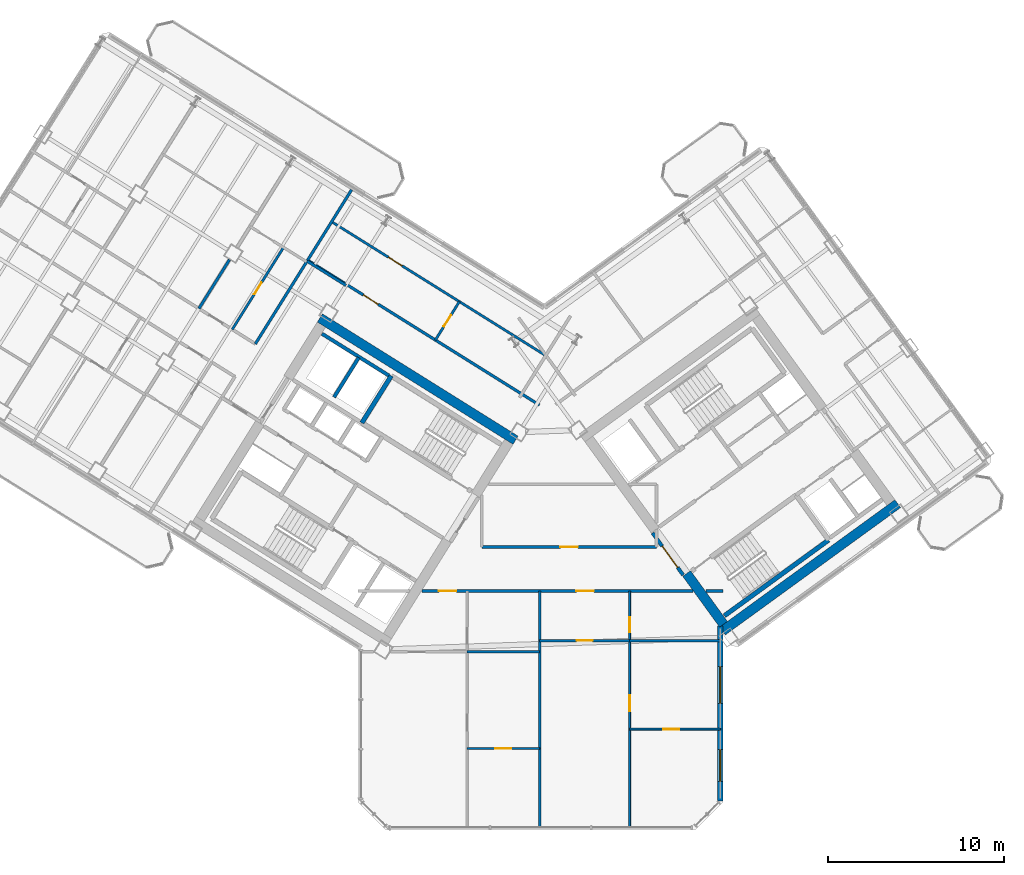
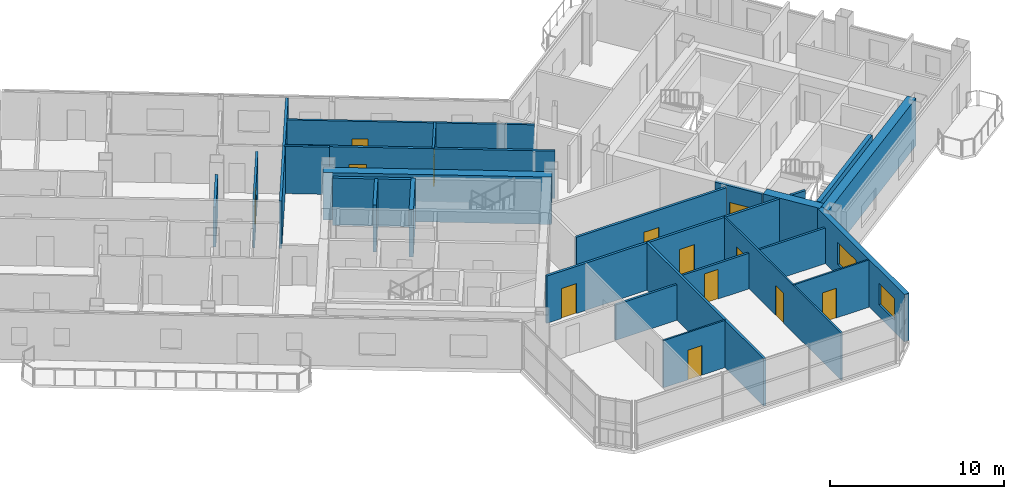
# One storey, part 13 of 21: 26 walls, 13 doors, 2 windows, 15 openings.
"""IFC4 building model written with IfcOpenShell, lengths in metres."""

from ifc_helpers import new_model, si_unit, direction, frame, frame_2d, origin, place, context, subcontext, project, spatial, rectangle, extrude, source, transform, mapped, material, layer, layer_set, type_object, element, fill, save


model = new_model("IFC4")

# Units and contexts
model_context = context("Model", 3, precision=1e-05, world=origin(), true_north=direction((0.0, 1.0)))
body_context = subcontext(model_context, "Body", "Model", "MODEL_VIEW")
ifc_project = project(units=[si_unit("LENGTHUNIT", "METRE"), si_unit("AREAUNIT", "SQUARE_METRE"), si_unit("VOLUMEUNIT", "CUBIC_METRE"), si_unit("PLANEANGLEUNIT", "RADIAN"), si_unit("MASSUNIT", "GRAM", prefix="KILO")], contexts=[model_context])

# Site, building, storey
site_placement = place(None, origin())
site = spatial("IfcSite", under=ifc_project, at=site_placement, CompositionType="ELEMENT")
building_placement = place(site_placement, origin())
building = spatial("IfcBuilding", under=site, at=building_placement, Name="Tlacorven Tower", CompositionType="ELEMENT")
storey_placement = place(building_placement, frame((0.0, 0.0, 191.39990234375)))
storey = spatial("IfcBuildingStorey", under=building, at=storey_placement, Name="L48", CompositionType="ELEMENT", Elevation=191.39990234375)

# Walls
ifc_material_1 = material(Name="Concrete C60/75", Category="concrete")
ifc_layer_1 = layer(ifc_material_1, 0.550048828125)
ifc_layer_set_1 = layer_set([ifc_layer_1], Name="Concrete C60/75")
wall_type_1 = type_object("IfcWallType", Name="WL-COR-550", PredefinedType="SHEAR", material=ifc_layer_set_1)
wall_1_placement = place(storey_placement, frame((40.572998046875, 24.010009765625, 0.0), z_axis=(0.0, 0.0, 1.0), x_axis=(-0.848047359947, 0.529920442413, 0.0)))
element("IfcWall", 1, at=wall_1_placement, inside=storey, type_object=wall_type_1, Name="L48 W core shear wall S1", PredefinedType="SHEAR", context=body_context, shape_type="SweptSolid", body=[
    extrude(rectangle(XDim=13.139892578125, YDim=0.550048828125, at=frame_2d((6.56982421875, 0.0))), origin(), (0.0, 0.0, 1.0), 3.320068359375),
])
wall_2_placement = place(storey_placement, frame((52.35888671875, 13.1396484375, 0.0), z_axis=(0.0, 0.0, 1.0), x_axis=(0.809014896919, 0.587788139183, 0.0)))
element("IfcWall", 2, at=wall_2_placement, inside=storey, type_object=wall_type_1, Name="L48 E core shear wall S1", PredefinedType="SHEAR", context=body_context, shape_type="SweptSolid", body=[
    extrude(rectangle(XDim=12.340087890625, YDim=0.550048828125, at=frame_2d((6.169921875, 0.0))), origin(), (0.0, 0.0, 1.0), 3.320068359375),
])
wall_3_placement = place(storey_placement, frame((52.419677734375, 13.52392578125, 0.0), z_axis=(0.0, 0.0, 1.0), x_axis=(-0.587802113096, 0.809004744015, 0.0)))
element("IfcWall", 3, at=wall_3_placement, inside=storey, type_object=wall_type_1, Name="L48 E core end wall E1.1", PredefinedType="SHEAR", context=body_context, shape_type="SweptSolid", body=[
    extrude(rectangle(XDim=3.574951171875, YDim=0.550048828125, at=frame_2d((1.78759765625, 0.0))), origin(), (0.0, 0.0, 1.0), 3.320068359375),
])
ifc_material_2 = material(Name="Gypsum plasterboard acoustic partition", Category="gypsum")
ifc_layer_2 = layer(ifc_material_2, 0.159912109375)
ifc_layer_set_2 = layer_set([ifc_layer_2], Name="Gypsum plasterboard acoustic partition")
wall_type_2 = type_object("IfcWallType", Name="WL-DEM-160", PredefinedType="PARTITIONING", material=ifc_layer_set_2)
wall_4_placement = place(storey_placement, frame((30.91357421875, 32.82861328125, 0.0), z_axis=(0.0, 0.0, 1.0), x_axis=(-0.848008813643, 0.529982124211, 0.0)))
element("IfcWall", 4, at=wall_4_placement, inside=storey, type_object=wall_type_2, Name="L48 partition 43", PredefinedType="PARTITIONING", context=body_context, shape_type="SweptSolid", body=[
    extrude(rectangle(XDim=2.610107421875, YDim=0.159912109375, at=frame_2d((1.30517578125, 0.0))), origin(), (0.0, 0.0, 1.0), 3.31005859375),
])
wall_5_placement = place(storey_placement, frame((31.238525390625, 38.27392578125, 0.0), z_axis=(0.0, 0.0, 1.0), x_axis=(-0.529914125013, -0.848051307476, 0.0)))
element("IfcWall", 5, at=wall_5_placement, inside=storey, type_object=wall_type_2, Name="L48 partition 45", PredefinedType="PARTITIONING", context=body_context, shape_type="SweptSolid", body=[
    extrude(rectangle(XDim=10.35009765625, YDim=0.159912109375, at=frame_2d((5.175048828125, 0.0))), origin(), (0.0, 0.0, 1.0), 3.31005859375),
])
wall_6_placement = place(storey_placement, frame((24.2822265625, 34.29345703125, 0.0), z_axis=(0.0, 0.0, 1.0), x_axis=(-0.529938869374, -0.84803584519, 0.0)))
element("IfcWall", 6, at=wall_6_placement, inside=storey, type_object=wall_type_2, Name="L48 WS Demising Wall 1", PredefinedType="PARTITIONING", context=body_context, shape_type="SweptSolid", body=[
    extrude(rectangle(XDim=3.2880859375, YDim=0.159912109375, at=frame_2d((1.64404296875, 0.0))), origin(), (0.0, 0.0, 1.0), 2.795166015625),
])

# Wall, opening, door
wall_7_placement = place(storey_placement, frame((41.93603515625, 26.011962890625, 0.0), z_axis=(0.0, 0.0, 1.0), x_axis=(-0.848051154596, 0.529914369676, 0.0)))
wall_7 = element("IfcWall", 7, at=wall_7_placement, inside=storey, type_object=wall_type_2, Name="L48 partition 66", PredefinedType="PARTITIONING", context=body_context, shape_type="SweptSolid", body=[
    extrude(rectangle(XDim=15.56982421875, YDim=0.159912109375, at=frame_2d((7.784912109375, 0.0))), origin(), (0.0, 0.0, 1.0), 3.31005859375),
])
opening_1_placement = place(wall_7_placement, frame((10.830078125, 0.0, 0.0)))
opening_1 = element("IfcOpeningElement", 8, at=opening_1_placement, cuts=wall_7, Name="Opening D11", PredefinedType="OPENING", context=body_context, shape_type="SweptSolid", body=[
    extrude(rectangle(XDim=1.0, YDim=2.10009765625, at=frame_2d((0.5, 1.050048828125))), frame((0.0, 0.08984375, 0.0), z_axis=(0.0, -1.0, 0.0), x_axis=(1.0, 0.0, 0.0)), (0.0, 0.0, 1.0), 0.179931640625),
])
ifc_material_3 = material(Name="Fire-rated steel door assembly", Category="steel")
door_type_1 = type_object("IfcDoorType", Name="DR-FLT-FD60-1000", OperationType="NOTDEFINED", PredefinedType="DOOR", material=ifc_material_3)
shared_shape_1 = source(origin(), body_context, "Body", "SweptSolid", [
    extrude(rectangle(XDim=1.0, YDim=2.10009765625, at=frame_2d((0.5, 1.050048828125))), frame((0.0, 0.02490234375, 0.0), z_axis=(0.0, -1.0, 0.0), x_axis=(1.0, 0.0, 0.0)), (0.0, 0.0, 1.0), 0.050048828125),
])
door_1_placement = place(opening_1_placement, origin())
door_1 = element("IfcDoor", 9, at=door_1_placement, inside=storey, type_object=door_type_1, Name="L48 door 040", OperationType="SINGLE_SWING_LEFT", OverallHeight=2.10009765625, OverallWidth=1.0, PredefinedType="DOOR", context=body_context, shape_type="MappedRepresentation", body=[
    mapped(shared_shape_1, transform((0.0, 0.0, 0.0), scale=1.0)),
])
fill(opening_1, door_1)

# Wall, openings, doors
wall_8_placement = place(storey_placement, frame((35.2373046875, 15.419921875, 0.0), z_axis=(0.0, 0.0, 1.0), x_axis=(1.0, 0.0, 0.0)))
wall_8 = element("IfcWall", 10, at=wall_8_placement, inside=storey, type_object=wall_type_2, Name="L48 Knuckle Corridor South Wall", PredefinedType="PARTITIONING", context=body_context, shape_type="SweptSolid", body=[
    extrude(rectangle(XDim=15.431640625, YDim=0.159912109375, at=frame_2d((7.7158203125, 0.0))), origin(), (0.0, 0.0, 1.0), 3.31005859375),
])
opening_2_placement = place(wall_8_placement, frame((0.968994140625, 0.0, 0.0)))
opening_2 = element("IfcOpeningElement", 11, at=opening_2_placement, cuts=wall_8, Name="Opening D11", PredefinedType="OPENING", context=body_context, shape_type="SweptSolid", body=[
    extrude(rectangle(XDim=1.0, YDim=2.10009765625, at=frame_2d((0.5, 1.050048828125))), frame((0.0, 0.08984375, 0.0), z_axis=(0.0, -1.0, 0.0), x_axis=(1.0, 0.0, 0.0)), (0.0, 0.0, 1.0), 0.179931640625),
])
opening_3_placement = place(wall_8_placement, frame((8.798583984375, 0.0, 0.0)))
opening_3 = element("IfcOpeningElement", 12, at=opening_3_placement, cuts=wall_8, Name="Opening D11", PredefinedType="OPENING", context=body_context, shape_type="SweptSolid", body=[
    extrude(rectangle(XDim=1.0, YDim=2.10009765625, at=frame_2d((0.5, 1.050048828125))), frame((0.0, 0.08984375, 0.0), z_axis=(0.0, -1.0, 0.0), x_axis=(1.0, 0.0, 0.0)), (0.0, 0.0, 1.0), 0.179931640625),
])
door_2_placement = place(opening_2_placement, frame((1.0, 0.0, 0.0), z_axis=(0.0, 0.0, 1.0), x_axis=(-1.0, 0.0, 0.0)))
door_2 = element("IfcDoor", 13, at=door_2_placement, inside=storey, type_object=door_type_1, Name="L48 door 048", OperationType="SINGLE_SWING_LEFT", OverallHeight=2.10009765625, OverallWidth=1.0, PredefinedType="DOOR", context=body_context, shape_type="MappedRepresentation", body=[
    mapped(shared_shape_1, transform((0.0, 0.0, 0.0), scale=1.0)),
])
fill(opening_2, door_2)
door_3_placement = place(opening_3_placement, frame((1.0, 0.0, 0.0), z_axis=(0.0, 0.0, 1.0), x_axis=(-1.0, 0.0, 0.0)))
door_3 = element("IfcDoor", 14, at=door_3_placement, inside=storey, type_object=door_type_1, Name="L48 door 053", OperationType="SINGLE_SWING_RIGHT", OverallHeight=2.10009765625, OverallWidth=1.0, PredefinedType="DOOR", context=body_context, shape_type="MappedRepresentation", body=[
    mapped(shared_shape_1, transform((0.0, 0.0, 0.0), scale=1.0)),
])
fill(opening_3, door_3)

# Wall
wall_9_placement = place(storey_placement, frame((51.41552734375, 15.419921875, 0.0), z_axis=(0.0, 0.0, 1.0), x_axis=(1.0, 0.0, 0.0)))
element("IfcWall", 15, at=wall_9_placement, inside=storey, type_object=wall_type_2, Name="L48 Knuckle Corridor South Wall", PredefinedType="PARTITIONING", context=body_context, shape_type="SweptSolid", body=[
    extrude(rectangle(XDim=0.984375, YDim=0.159912109375, at=frame_2d((0.4921875, 0.0))), origin(), (0.0, 0.0, 1.0), 3.31005859375),
])

# Wall, opening, door
wall_10_placement = place(storey_placement, frame((38.64990234375, 17.929931640625, 0.0), z_axis=(0.0, 0.0, 1.0), x_axis=(1.0, 0.0, 0.0)))
wall_10 = element("IfcWall", 16, at=wall_10_placement, inside=storey, type_object=wall_type_2, Name="L48 partition 72", PredefinedType="PARTITIONING", context=body_context, shape_type="SweptSolid", body=[
    extrude(rectangle(XDim=9.9501953125, YDim=0.159912109375, at=frame_2d((4.97509765625, 0.0))), origin(), (0.0, 0.0, 1.0), 3.31005859375),
])
opening_4_placement = place(wall_10_placement, frame((4.47509765625, 0.0, 0.0)))
opening_4 = element("IfcOpeningElement", 17, at=opening_4_placement, cuts=wall_10, Name="Opening D11", PredefinedType="OPENING", context=body_context, shape_type="SweptSolid", body=[
    extrude(rectangle(XDim=1.0, YDim=2.10009765625, at=frame_2d((0.5, 1.050048828125))), frame((0.0, 0.08984375, 0.0), z_axis=(0.0, -1.0, 0.0), x_axis=(1.0, 0.0, 0.0)), (0.0, 0.0, 1.0), 0.179931640625),
])
door_4_placement = place(opening_4_placement, origin())
door_4 = element("IfcDoor", 18, at=door_4_placement, inside=storey, type_object=door_type_1, Name="L48 door 043", OperationType="SINGLE_SWING_RIGHT", OverallHeight=2.10009765625, OverallWidth=1.0, PredefinedType="DOOR", context=body_context, shape_type="MappedRepresentation", body=[
    mapped(shared_shape_1, transform((0.0, 0.0, 0.0), scale=1.0)),
])
fill(opening_4, door_4)

# Wall
wall_11_placement = place(storey_placement, frame((41.949951171875, 1.9599609375, 0.0), z_axis=(0.0, 0.0, 1.0), x_axis=(0.0, 1.0, 0.0)))
element("IfcWall", 19, at=wall_11_placement, inside=storey, type_object=wall_type_2, Name="L48 Knuckle Demising Wall 1", PredefinedType="PARTITIONING", context=body_context, shape_type="SweptSolid", body=[
    extrude(rectangle(XDim=13.4599609375, YDim=0.159912109375, at=frame_2d((6.72998046875, 0.0))), origin(), (0.0, 0.0, 1.0), 3.31005859375),
])

# Wall, openings, windows
ifc_material_4 = material(Name="Precast concrete C45/55", Category="concrete")
ifc_layer_3 = layer(ifc_material_4, 0.320068359375)
ifc_layer_set_3 = layer_set([ifc_layer_3], Name="Precast concrete C45/55")
wall_type_3 = type_object("IfcWallType", Name="WL-EXT-320", PredefinedType="STANDARD", material=ifc_layer_set_3)
wall_12_placement = place(storey_placement, frame((52.239990234375, 13.4140625, 0.0), z_axis=(0.0, 0.0, 1.0), x_axis=(0.0, -1.0, 0.0)))
wall_12 = element("IfcWall", 20, at=wall_12_placement, inside=storey, type_object=wall_type_3, Name="L48 Masonry-Frame Recessed Facade Wall 7", PredefinedType="STANDARD", context=body_context, shape_type="SweptSolid", body=[
    extrude(rectangle(XDim=9.94775390625, YDim=0.320068359375, at=frame_2d((4.973876953125, 0.0))), origin(), (0.0, 0.0, 1.0), 3.320068359375),
])
opening_5_placement = place(wall_12_placement, frame((2.29638671875, 0.0, 0.800048828125)))
opening_5 = element("IfcOpeningElement", 21, at=opening_5_placement, cuts=wall_12, Name="Opening WN04", PredefinedType="OPENING", context=body_context, shape_type="SweptSolid", body=[
    extrude(rectangle(XDim=2.10009765625, YDim=1.550048828125, at=frame_2d((1.050048828125, 0.77490234375))), frame((0.0, 0.169921875, 0.0), z_axis=(0.0, -1.0, 0.0), x_axis=(1.0, 0.0, 0.0)), (0.0, 0.0, 1.0), 0.340087890625),
])
opening_6_placement = place(wall_12_placement, frame((7.033447265625, 0.0, 0.85009765625)))
opening_6 = element("IfcOpeningElement", 22, at=opening_6_placement, cuts=wall_12, Name="Opening WN01", PredefinedType="OPENING", context=body_context, shape_type="SweptSolid", body=[
    extrude(rectangle(XDim=1.800048828125, YDim=1.5, at=frame_2d((0.89990234375, 0.75))), frame((0.0, 0.169921875, 0.0), z_axis=(0.0, -1.0, 0.0), x_axis=(1.0, 0.0, 0.0)), (0.0, 0.0, 1.0), 0.340087890625),
])
ifc_material_5 = material(Name="Dark solar low-E double glazing in anodised aluminium frame", Category="aluminium")
window_type_1 = type_object("IfcWindowType", Name="WN-APT-2100X1750", PartitioningType="SINGLE_PANEL", PredefinedType="WINDOW", material=ifc_material_5)
shared_shape_2 = source(origin(), body_context, "Body", "SweptSolid", [
    extrude(rectangle(XDim=2.10009765625, YDim=1.550048828125, at=frame_2d((1.050048828125, 0.77490234375))), frame((0.0, 0.030029296875, 0.0), z_axis=(0.0, -1.0, 0.0), x_axis=(1.0, 0.0, 0.0)), (0.0, 0.0, 1.0), 0.06005859375),
])
window_1_placement = place(opening_5_placement, origin())
window_1 = element("IfcWindow", 23, at=window_1_placement, inside=storey, type_object=window_type_1, Name="L48 Recessed Masonry-Frame Window L48-07.1", OverallHeight=1.550048828125, OverallWidth=2.10009765625, PartitioningType="SINGLE_PANEL", PredefinedType="WINDOW", context=body_context, shape_type="MappedRepresentation", body=[
    mapped(shared_shape_2, transform((0.0, 0.0, 0.0), scale=1.0)),
])
fill(opening_5, window_1)
window_type_2 = type_object("IfcWindowType", Name="WN-APT-1800X1650", PartitioningType="SINGLE_PANEL", PredefinedType="WINDOW", material=ifc_material_5)
shared_shape_3 = source(origin(), body_context, "Body", "SweptSolid", [
    extrude(rectangle(XDim=1.800048828125, YDim=1.5, at=frame_2d((0.89990234375, 0.75))), frame((0.0, 0.030029296875, 0.0), z_axis=(0.0, -1.0, 0.0), x_axis=(1.0, 0.0, 0.0)), (0.0, 0.0, 1.0), 0.06005859375),
])
window_2_placement = place(opening_6_placement, origin())
window_2 = element("IfcWindow", 24, at=window_2_placement, inside=storey, type_object=window_type_2, Name="L48 Recessed Masonry-Frame Window L48-07.2", OverallHeight=1.5, OverallWidth=1.800048828125, PartitioningType="SINGLE_PANEL", PredefinedType="WINDOW", context=body_context, shape_type="MappedRepresentation", body=[
    mapped(shared_shape_3, transform((0.0, 0.0, 0.0), scale=1.0)),
])
fill(opening_6, window_2)

# Wall, opening, door
ifc_material_6 = material(Name="Gypsum plasterboard partition", Category="gypsum")
ifc_layer_4 = layer(ifc_material_6, 0.110107421875)
ifc_layer_set_4 = layer_set([ifc_layer_4], Name="Gypsum plasterboard partition")
wall_type_4 = type_object("IfcWallType", Name="WL-INT-110", PredefinedType="PARTITIONING", material=ifc_layer_set_4)
wall_13_placement = place(storey_placement, frame((37.81298828125, 6.449951171875, 0.0), z_axis=(0.0, 0.0, 1.0), x_axis=(1.0, 0.0, 0.0)))
wall_13 = element("IfcWall", 25, at=wall_13_placement, inside=storey, type_object=wall_type_4, Name="L48 partition 81", PredefinedType="PARTITIONING", context=body_context, shape_type="SweptSolid", body=[
    extrude(rectangle(XDim=4.136962890625, YDim=0.110107421875, at=frame_2d((2.068359375, 0.0))), origin(), (0.0, 0.0, 1.0), 3.31005859375),
])
opening_7_placement = place(wall_13_placement, frame((1.6083984375, 0.0, 0.0)))
opening_7 = element("IfcOpeningElement", 26, at=opening_7_placement, cuts=wall_13, Name="Opening D12", PredefinedType="OPENING", context=body_context, shape_type="SweptSolid", body=[
    extrude(rectangle(XDim=0.919921875, YDim=2.080078125, at=frame_2d((0.4599609375, 1.0400390625))), frame((0.0, 0.06494140625, 0.0), z_axis=(0.0, -1.0, 0.0), x_axis=(1.0, 0.0, 0.0)), (0.0, 0.0, 1.0), 0.130126953125),
])
ifc_material_7 = material(Name="Powder-coated aluminium and timber door", Category="wood")
door_type_2 = type_object("IfcDoorType", Name="DR-INT-ROOM-0920", OperationType="NOTDEFINED", PredefinedType="DOOR", material=ifc_material_7)
shared_shape_4 = source(origin(), body_context, "Body", "SweptSolid", [
    extrude(rectangle(XDim=0.919921875, YDim=2.080078125, at=frame_2d((0.4599609375, 1.0400390625))), frame((0.0, 0.02490234375, 0.0), z_axis=(0.0, -1.0, 0.0), x_axis=(1.0, 0.0, 0.0)), (0.0, 0.0, 1.0), 0.050048828125),
])
door_5_placement = place(opening_7_placement, origin())
door_5 = element("IfcDoor", 27, at=door_5_placement, inside=storey, type_object=door_type_2, Name="L48 door 047", OperationType="SINGLE_SWING_RIGHT", OverallHeight=2.080078125, OverallWidth=0.919921875, PredefinedType="DOOR", context=body_context, shape_type="MappedRepresentation", body=[
    mapped(shared_shape_4, transform((0.0, 0.0, 0.0), scale=1.0)),
])
fill(opening_7, door_5)

# Wall, openings, doors
wall_14_placement = place(storey_placement, frame((47.072021484375, 1.9599609375, 0.0), z_axis=(0.0, 0.0, 1.0), x_axis=(0.0, 1.0, 0.0)))
wall_14 = element("IfcWall", 28, at=wall_14_placement, inside=storey, type_object=wall_type_4, Name="L48 partition 82", PredefinedType="PARTITIONING", context=body_context, shape_type="SweptSolid", body=[
    extrude(rectangle(XDim=13.4599609375, YDim=0.110107421875, at=frame_2d((6.72998046875, 0.0))), origin(), (0.0, 0.0, 1.0), 3.31005859375),
])
opening_8_placement = place(wall_14_placement, frame((6.60009765625, 0.0, 0.0)))
opening_8 = element("IfcOpeningElement", 29, at=opening_8_placement, cuts=wall_14, Name="Opening D12", PredefinedType="OPENING", context=body_context, shape_type="SweptSolid", body=[
    extrude(rectangle(XDim=0.919921875, YDim=2.080078125, at=frame_2d((0.4599609375, 1.0400390625))), frame((0.0, 0.06494140625, 0.0), z_axis=(0.0, -1.0, 0.0), x_axis=(1.0, 0.0, 0.0)), (0.0, 0.0, 1.0), 0.130126953125),
])
opening_9_placement = place(wall_14_placement, frame((11.10009765625, 0.0, 0.0)))
opening_9 = element("IfcOpeningElement", 30, at=opening_9_placement, cuts=wall_14, Name="Opening D13", PredefinedType="OPENING", context=body_context, shape_type="SweptSolid", body=[
    extrude(rectangle(XDim=0.8798828125, YDim=2.080078125, at=frame_2d((0.43994140625, 1.0400390625))), frame((0.0, 0.06494140625, 0.0), z_axis=(0.0, -1.0, 0.0), x_axis=(1.0, 0.0, 0.0)), (0.0, 0.0, 1.0), 0.130126953125),
])
door_type_3 = type_object("IfcDoorType", Name="DR-INT-WET-0880", OperationType="NOTDEFINED", PredefinedType="DOOR", material=ifc_material_7)
shared_shape_5 = source(origin(), body_context, "Body", "SweptSolid", [
    extrude(rectangle(XDim=0.8798828125, YDim=2.080078125, at=frame_2d((0.43994140625, 1.0400390625))), frame((0.0, 0.02490234375, 0.0), z_axis=(0.0, -1.0, 0.0), x_axis=(1.0, 0.0, 0.0)), (0.0, 0.0, 1.0), 0.050048828125),
])
door_6_placement = place(opening_9_placement, origin())
door_6 = element("IfcDoor", 31, at=door_6_placement, inside=storey, type_object=door_type_3, Name="L48 door 055", OperationType="SINGLE_SWING_RIGHT", OverallHeight=2.080078125, OverallWidth=0.8798828125, PredefinedType="DOOR", context=body_context, shape_type="MappedRepresentation", body=[
    mapped(shared_shape_5, transform((0.0, 0.0, 0.0), scale=1.0)),
])
fill(opening_9, door_6)
door_7_placement = place(opening_8_placement, origin())
door_7 = element("IfcDoor", 32, at=door_7_placement, inside=storey, type_object=door_type_2, Name="L48 door 051", OperationType="SINGLE_SWING_RIGHT", OverallHeight=2.080078125, OverallWidth=0.919921875, PredefinedType="DOOR", context=body_context, shape_type="MappedRepresentation", body=[
    mapped(shared_shape_4, transform((0.0, 0.0, 0.0), scale=1.0)),
])
fill(opening_8, door_7)

# Wall, opening, door
wall_15_placement = place(storey_placement, frame((47.072021484375, 7.550048828125, 0.0), z_axis=(0.0, 0.0, 1.0), x_axis=(1.0, 0.0, 0.0)))
wall_15 = element("IfcWall", 33, at=wall_15_placement, inside=storey, type_object=wall_type_4, Name="L48 partition 85", PredefinedType="PARTITIONING", context=body_context, shape_type="SweptSolid", body=[
    extrude(rectangle(XDim=5.18798828125, YDim=0.110107421875, at=frame_2d((2.593994140625, 0.0))), origin(), (0.0, 0.0, 1.0), 3.31005859375),
])
opening_10_placement = place(wall_15_placement, frame((1.904052734375, 0.0, 0.0)))
opening_10 = element("IfcOpeningElement", 34, at=opening_10_placement, cuts=wall_15, Name="Opening D12", PredefinedType="OPENING", context=body_context, shape_type="SweptSolid", body=[
    extrude(rectangle(XDim=0.919921875, YDim=2.080078125, at=frame_2d((0.4599609375, 1.0400390625))), frame((0.0, 0.06494140625, 0.0), z_axis=(0.0, -1.0, 0.0), x_axis=(1.0, 0.0, 0.0)), (0.0, 0.0, 1.0), 0.130126953125),
])
door_8_placement = place(opening_10_placement, origin())
door_8 = element("IfcDoor", 35, at=door_8_placement, inside=storey, type_object=door_type_2, Name="L48 door 052", OperationType="SINGLE_SWING_LEFT", OverallHeight=2.080078125, OverallWidth=0.919921875, PredefinedType="DOOR", context=body_context, shape_type="MappedRepresentation", body=[
    mapped(shared_shape_4, transform((0.0, 0.0, 0.0), scale=1.0)),
])
fill(opening_10, door_8)

ifc_material_8 = material(Name="Moisture-resistant gypsum plumbing wall", Category="gypsum")
ifc_layer_5 = layer(ifc_material_8, 0.139892578125)
ifc_layer_set_5 = layer_set([ifc_layer_5], Name="Moisture-resistant gypsum plumbing wall")
wall_type_5 = type_object("IfcWallType", Name="WL-PLM-140", PredefinedType="PLUMBINGWALL", material=ifc_layer_set_5)
wall_16_placement = place(storey_placement, frame((27.359130859375, 34.99072265625, 0.0), z_axis=(0.0, 0.0, 1.0), x_axis=(-0.529907329021, -0.848055553988, 0.0)))
wall_16 = element("IfcWall", 36, at=wall_16_placement, inside=storey, type_object=wall_type_5, Name="L48 partition 60", PredefinedType="PLUMBINGWALL", context=body_context, shape_type="SweptSolid", body=[
    extrude(rectangle(XDim=5.509765625, YDim=0.139892578125, at=frame_2d((2.7548828125, 0.0))), origin(), (0.0, 0.0, 1.0), 2.93505859375),
])
opening_11_placement = place(wall_16_placement, frame((2.364990234375, 0.0, 0.0)))
opening_11 = element("IfcOpeningElement", 37, at=opening_11_placement, cuts=wall_16, Name="Opening D22", PredefinedType="OPENING", context=body_context, shape_type="SweptSolid", body=[
    extrude(rectangle(XDim=0.780029296875, YDim=2.050048828125, at=frame_2d((0.39013671875, 1.02490234375))), frame((0.0, 0.080078125, 0.0), z_axis=(0.0, -1.0, 0.0), x_axis=(1.0, 0.0, 0.0)), (0.0, 0.0, 1.0), 0.159912109375),
])
door_type_4 = type_object("IfcDoorType", Name="DR-INT-WET-0780", OperationType="NOTDEFINED", PredefinedType="DOOR", material=ifc_material_7)
shared_shape_6 = source(origin(), body_context, "Body", "SweptSolid", [
    extrude(rectangle(XDim=0.780029296875, YDim=2.050048828125, at=frame_2d((0.39013671875, 1.02490234375))), frame((0.0, 0.02490234375, 0.0), z_axis=(0.0, -1.0, 0.0), x_axis=(1.0, 0.0, 0.0)), (0.0, 0.0, 1.0), 0.050048828125),
])
door_9_placement = place(opening_11_placement, origin())
door_9 = element("IfcDoor", 38, at=door_9_placement, inside=storey, type_object=door_type_4, Name="L48 door 033", OperationType="SINGLE_SWING_RIGHT", OverallHeight=2.050048828125, OverallWidth=0.780029296875, PredefinedType="DOOR", context=body_context, shape_type="MappedRepresentation", body=[
    mapped(shared_shape_6, transform((0.0, 0.0, 0.0), scale=1.0)),
])
fill(opening_11, door_9)

wall_17_placement = place(storey_placement, frame((42.226318359375, 28.872802734375, 0.0), z_axis=(0.0, 0.0, 1.0), x_axis=(-0.848049134363, 0.529917602752, 0.0)))
wall_17 = element("IfcWall", 39, at=wall_17_placement, inside=storey, type_object=wall_type_5, Name="L48 partition 68", PredefinedType="PLUMBINGWALL", context=body_context, shape_type="SweptSolid", body=[
    extrude(rectangle(XDim=14.300048828125, YDim=0.139892578125, at=frame_2d((7.14990234375, 0.0))), origin(), (0.0, 0.0, 1.0), 3.31005859375),
])
opening_12_placement = place(wall_17_placement, frame((9.570068359375, 0.0, 0.0)))
opening_12 = element("IfcOpeningElement", 40, at=opening_12_placement, cuts=wall_17, Name="Opening D12", PredefinedType="OPENING", context=body_context, shape_type="SweptSolid", body=[
    extrude(rectangle(XDim=0.919921875, YDim=2.080078125, at=frame_2d((0.4599609375, 1.0400390625))), frame((0.0, 0.080078125, 0.0), z_axis=(0.0, -1.0, 0.0), x_axis=(1.0, 0.0, 0.0)), (0.0, 0.0, 1.0), 0.159912109375),
])
door_10_placement = place(opening_12_placement, origin())
door_10 = element("IfcDoor", 41, at=door_10_placement, inside=storey, type_object=door_type_2, Name="L48 door 041", OperationType="SINGLE_SWING_RIGHT", OverallHeight=2.080078125, OverallWidth=0.919921875, PredefinedType="DOOR", context=body_context, shape_type="MappedRepresentation", body=[
    mapped(shared_shape_4, transform((0.0, 0.0, 0.0), scale=1.0)),
])
fill(opening_12, door_10)

wall_18_placement = place(storey_placement, frame((37.37548828125, 31.904052734375, 0.0), z_axis=(0.0, 0.0, 1.0), x_axis=(-0.529913878929, -0.848051461244, 0.0)))
wall_18 = element("IfcWall", 42, at=wall_18_placement, inside=storey, type_object=wall_type_5, Name="L48 partition 69", PredefinedType="PLUMBINGWALL", context=body_context, shape_type="SweptSolid", body=[
    extrude(rectangle(XDim=2.580078125, YDim=0.139892578125, at=frame_2d((1.2900390625, 0.0))), origin(), (0.0, 0.0, 1.0), 3.31005859375),
])
opening_13_placement = place(wall_18_placement, frame((0.89990234375, 0.0, 0.0)))
opening_13 = element("IfcOpeningElement", 43, at=opening_13_placement, cuts=wall_18, Name="Opening D22", PredefinedType="OPENING", context=body_context, shape_type="SweptSolid", body=[
    extrude(rectangle(XDim=0.780029296875, YDim=2.050048828125, at=frame_2d((0.39013671875, 1.02490234375))), frame((0.0, 0.080078125, 0.0), z_axis=(0.0, -1.0, 0.0), x_axis=(1.0, 0.0, 0.0)), (0.0, 0.0, 1.0), 0.159912109375),
])
door_11_placement = place(opening_13_placement, origin())
door_11 = element("IfcDoor", 44, at=door_11_placement, inside=storey, type_object=door_type_4, Name="L48 door 042", OperationType="SINGLE_SWING_LEFT", OverallHeight=2.050048828125, OverallWidth=0.780029296875, PredefinedType="DOOR", context=body_context, shape_type="MappedRepresentation", body=[
    mapped(shared_shape_6, transform((0.0, 0.0, 0.0), scale=1.0)),
])
fill(opening_13, door_11)

# Wall
wall_19_placement = place(storey_placement, frame((37.81298828125, 11.949951171875, 0.0), z_axis=(0.0, 0.0, 1.0), x_axis=(1.0, 0.0, 0.0)))
element("IfcWall", 45, at=wall_19_placement, inside=storey, type_object=wall_type_5, Name="L48 partition 80", PredefinedType="PLUMBINGWALL", context=body_context, shape_type="SweptSolid", body=[
    extrude(rectangle(XDim=4.136962890625, YDim=0.139892578125, at=frame_2d((2.068359375, 0.0))), origin(), (0.0, 0.0, 1.0), 2.4951171875),
])

# Wall, opening, door
wall_20_placement = place(storey_placement, frame((41.949951171875, 12.60009765625, 0.0), z_axis=(0.0, 0.0, 1.0), x_axis=(1.0, 0.0, 0.0)))
wall_20 = element("IfcWall", 46, at=wall_20_placement, inside=storey, type_object=wall_type_5, Name="L48 partition 83", PredefinedType="PLUMBINGWALL", context=body_context, shape_type="SweptSolid", body=[
    extrude(rectangle(XDim=5.1220703125, YDim=0.139892578125, at=frame_2d((2.56103515625, 0.0))), origin(), (0.0, 0.0, 1.0), 2.4951171875),
])
opening_14_placement = place(wall_20_placement, frame((2.10107421875, 0.0, 0.0)))
opening_14 = element("IfcOpeningElement", 47, at=opening_14_placement, cuts=wall_20, Name="Opening D12", PredefinedType="OPENING", context=body_context, shape_type="SweptSolid", body=[
    extrude(rectangle(XDim=0.919921875, YDim=2.080078125, at=frame_2d((0.4599609375, 1.0400390625))), frame((0.0, 0.080078125, 0.0), z_axis=(0.0, -1.0, 0.0), x_axis=(1.0, 0.0, 0.0)), (0.0, 0.0, 1.0), 0.159912109375),
])
door_12_placement = place(opening_14_placement, frame((0.919921875, 0.0, 0.0), z_axis=(0.0, 0.0, 1.0), x_axis=(-1.0, 0.0, 0.0)))
door_12 = element("IfcDoor", 48, at=door_12_placement, inside=storey, type_object=door_type_2, Name="L48 door 054", OperationType="SINGLE_SWING_LEFT", OverallHeight=2.080078125, OverallWidth=0.919921875, PredefinedType="DOOR", context=body_context, shape_type="MappedRepresentation", body=[
    mapped(shared_shape_4, transform((0.0, 0.0, 0.0), scale=1.0)),
])
fill(opening_14, door_12)

# Walls
wall_21_placement = place(storey_placement, frame((47.072021484375, 12.60009765625, 0.0), z_axis=(0.0, 0.0, 1.0), x_axis=(1.0, 0.0, 0.0)))
element("IfcWall", 49, at=wall_21_placement, inside=storey, type_object=wall_type_5, Name="L48 partition 84", PredefinedType="PLUMBINGWALL", context=body_context, shape_type="SweptSolid", body=[
    extrude(rectangle(XDim=5.18798828125, YDim=0.139892578125, at=frame_2d((2.593994140625, 0.0))), origin(), (0.0, 0.0, 1.0), 2.4951171875),
])
ifc_material_9 = material(Name="Concrete C40/50", Category="concrete")
ifc_layer_6 = layer(ifc_material_9, 0.199951171875)
ifc_layer_set_6 = layer_set([ifc_layer_6], Name="Concrete C40/50")
wall_type_6 = type_object("IfcWallType", Name="WL-SHF-200", PredefinedType="STANDARD", material=ifc_layer_set_6)
wall_22_placement = place(storey_placement, frame((31.645263671875, 28.716064453125, 0.0), z_axis=(0.0, 0.0, 1.0), x_axis=(-0.52986693015, -0.848080795876, 0.0)))
element("IfcWall", 50, at=wall_22_placement, inside=storey, type_object=wall_type_6, Name="L48 partition 15", PredefinedType="STANDARD", context=body_context, shape_type="SweptSolid", body=[
    extrude(rectangle(XDim=2.659912109375, YDim=0.199951171875, at=frame_2d((1.330078125, 0.0))), origin(), (0.0, 0.0, 1.0), 3.31005859375),
])
wall_23_placement = place(storey_placement, frame((33.362548828125, 27.690185546875, 0.0), z_axis=(0.0, 0.0, 1.0), x_axis=(-0.848047090064, 0.529920874315, 0.0)))
element("IfcWall", 51, at=wall_23_placement, inside=storey, type_object=wall_type_6, Name="L48 partition 17", PredefinedType="STANDARD", context=body_context, shape_type="SweptSolid", body=[
    extrude(rectangle(XDim=4.498046875, YDim=0.199951171875, at=frame_2d((2.2490234375, 0.0))), origin(), (0.0, 0.0, 1.0), 3.31005859375),
])

# Wall, opening, door
wall_24_placement = place(storey_placement, frame((50.119140625, 16.3330078125, 0.0), z_axis=(0.0, 0.0, 1.0), x_axis=(-0.587749856981, 0.809042709391, 0.0)))
wall_24 = element("IfcWall", 52, at=wall_24_placement, inside=storey, type_object=wall_type_6, Name="L48 partition 76", PredefinedType="STANDARD", context=body_context, shape_type="SweptSolid", body=[
    extrude(rectangle(XDim=2.9599609375, YDim=0.199951171875, at=frame_2d((1.47998046875, 0.0))), origin(), (0.0, 0.0, 1.0), 3.31005859375),
])
opening_15_placement = place(wall_24_placement, frame((0.530029296875, 0.0, 0.0)))
opening_15 = element("IfcOpeningElement", 53, at=opening_15_placement, cuts=wall_24, Name="Opening D10", PredefinedType="OPENING", context=body_context, shape_type="SweptSolid", body=[
    extrude(rectangle(XDim=1.5, YDim=2.14990234375, at=frame_2d((0.75, 1.074951171875))), frame((0.0, 0.10986328125, 0.0), z_axis=(0.0, -1.0, 0.0), x_axis=(1.0, 0.0, 0.0)), (0.0, 0.0, 1.0), 0.219970703125),
])
door_type_5 = type_object("IfcDoorType", Name="DR-LOB-FD60-1500", OperationType="DOUBLE_DOOR_SINGLE_SWING", PredefinedType="DOOR", material=ifc_material_3)
shared_shape_7 = source(origin(), body_context, "Body", "SweptSolid", [
    extrude(rectangle(XDim=1.5, YDim=2.14990234375, at=frame_2d((0.75, 1.074951171875))), frame((0.0, 0.02490234375, 0.0), z_axis=(0.0, -1.0, 0.0), x_axis=(1.0, 0.0, 0.0)), (0.0, 0.0, 1.0), 0.050048828125),
])
door_13_placement = place(opening_15_placement, frame((1.5, 0.0, 0.0), z_axis=(0.0, 0.0, 1.0), x_axis=(-1.0, 0.0, 0.0)))
door_13 = element("IfcDoor", 54, at=door_13_placement, inside=storey, type_object=door_type_5, Name="L48 door 045", OperationType="DOUBLE_DOOR_SINGLE_SWING", OverallHeight=2.14990234375, OverallWidth=1.5, PredefinedType="DOOR", context=body_context, shape_type="MappedRepresentation", body=[
    mapped(shared_shape_7, transform((0.0, 0.0, 0.0), scale=1.0)),
])
fill(opening_15, door_13)

# Walls
ifc_material_10 = material(Name="Concrete C50/60", Category="concrete")
ifc_layer_7 = layer(ifc_material_10, 0.260009765625)
ifc_layer_set_7 = layer_set([ifc_layer_7], Name="Concrete C50/60")
wall_type_7 = type_object("IfcWallType", Name="WL-STW-260", PredefinedType="SHEAR", material=ifc_layer_set_7)
wall_25_placement = place(storey_placement, frame((33.496337890625, 27.677490234375, 0.0), z_axis=(0.0, 0.0, 1.0), x_axis=(-0.529908658664, -0.84805472316, 0.0)))
element("IfcWall", 55, at=wall_25_placement, inside=storey, type_object=wall_type_7, Name="L48 Stair W2 East Shear Wall", PredefinedType="SHEAR", context=body_context, shape_type="SweptSolid", body=[
    extrude(rectangle(XDim=3.16015625, YDim=0.260009765625, at=frame_2d((1.580078125, 0.0))), origin(), (0.0, 0.0, 1.0), 3.320068359375),
])
wall_26_placement = place(storey_placement, frame((52.47216796875, 14.01318359375, 0.0), z_axis=(0.0, 0.0, 1.0), x_axis=(0.809028366311, 0.587769599847, 0.0)))
element("IfcWall", 56, at=wall_26_placement, inside=storey, type_object=wall_type_7, Name="L48 Stair E2 Far Shear Wall", PredefinedType="SHEAR", context=body_context, shape_type="SweptSolid", body=[
    extrude(rectangle(XDim=7.330078125, YDim=0.260009765625, at=frame_2d((3.6650390625, 0.0))), origin(), (0.0, 0.0, 1.0), 3.320068359375),
])

save(model, "model.ifc")
